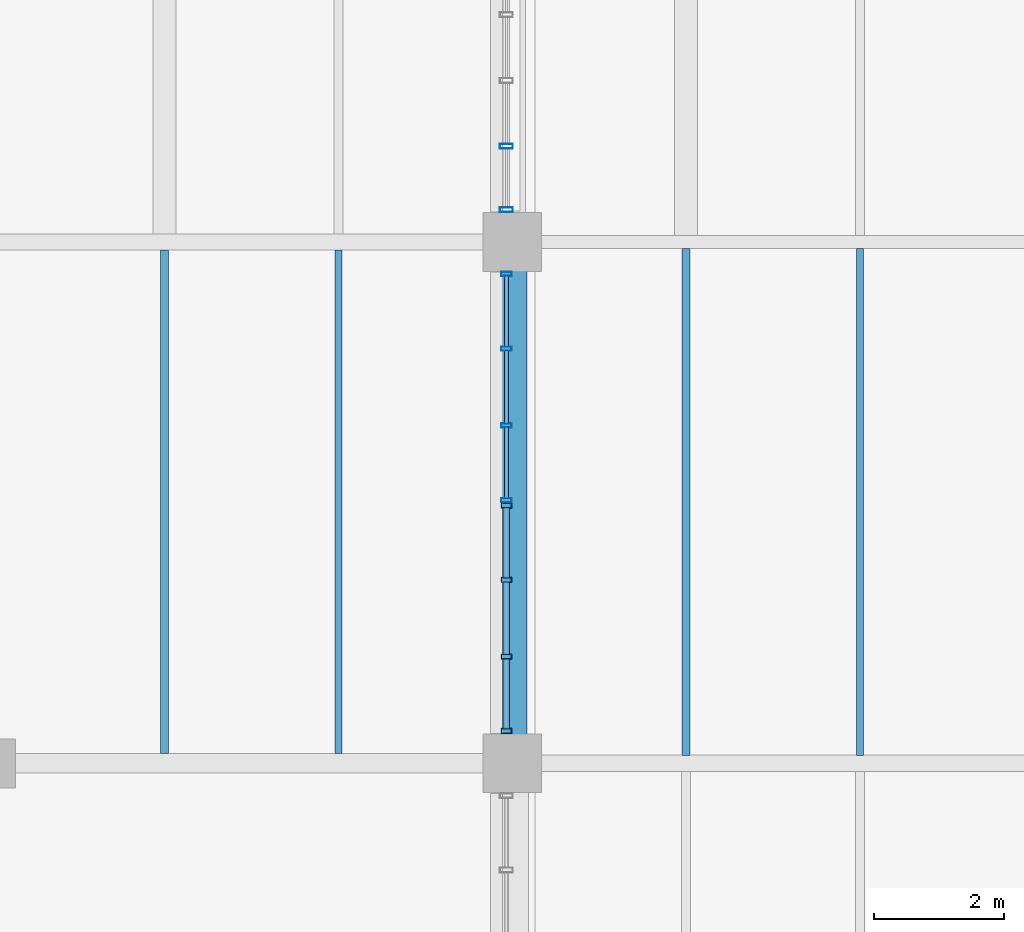
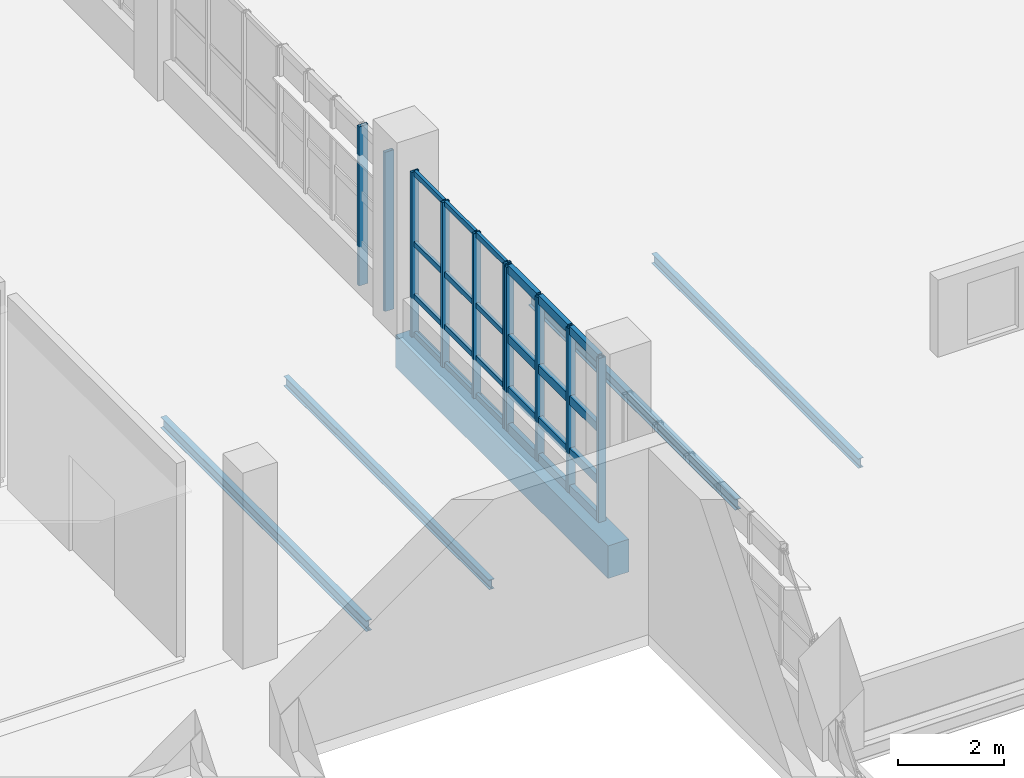
# One storey, part 13 of 85: 34 members, 5 beams, 3 elements without a shape of their own.
"""IFC4 building model written with IfcOpenShell, lengths in metres."""

from ifc_helpers import new_model, si_unit, derived_unit, direction, frame, origin, origin_2d, place, context, subcontext, project, spatial, rectangle, hollow_rectangle, i_section, extrude, material, layer, layer_set, material_profile, profile_set, type_object, element, aggregate, save


model = new_model("IFC4")

# Units and contexts
model_context = context("Model", 3, precision=1e-05, world=origin(), true_north=direction((0.0, 1.0)))
body_context = subcontext(model_context, "Body", "Model", "MODEL_VIEW")
ifc_project = project(units=[si_unit("LENGTHUNIT", "METRE"), si_unit("AREAUNIT", "SQUARE_METRE"), si_unit("VOLUMEUNIT", "CUBIC_METRE"), si_unit("PLANEANGLEUNIT", "RADIAN"), si_unit("MASSUNIT", "GRAM", prefix="KILO"), derived_unit("THERMALTRANSMITTANCEUNIT", [(si_unit("POWERUNIT", "WATT"), 1), (si_unit("LENGTHUNIT", "METRE"), -2), (si_unit("THERMODYNAMICTEMPERATUREUNIT", "KELVIN"), -1)])], contexts=[model_context])

# Site, building, storey
site_placement = place(None, origin())
site = spatial("IfcSite", under=ifc_project, at=site_placement, CompositionType="ELEMENT")
building_placement = place(site_placement, origin())
building = spatial("IfcBuilding", under=site, at=building_placement, Name="Nallur Shell Playhouse", CompositionType="ELEMENT")
storey_placement = place(building_placement, frame((0.0, 0.0, 19.800048828125)))
storey = spatial("IfcBuildingStorey", under=building, at=storey_placement, Name="L05", CompositionType="ELEMENT", Elevation=19.800048828125)

# Beams
ifc_material_1 = material(Name="Steel E250", Category="steel")
ifc_material_profile_1 = material_profile(ifc_material_1, i_section(OverallWidth=0.110107421875, OverallDepth=0.22509765625, WebThickness=0.006591796875, FlangeThickness=0.01171875, FilletRadius=0.011962890625, at=origin_2d()), Name="ISMB 225")
ifc_profile_set_1 = profile_set([ifc_material_profile_1], Name="Steel E250")
beam_type_1 = type_object("IfcBeamType", Name="BM-JST-ISMB225", PredefinedType="JOIST", material=ifc_profile_set_1)
beam_1_placement = place(storey_placement, frame((37.333251953125, 24.14794921875, -0.362548828125), z_axis=(0.0, 1.0, 0.0), x_axis=(-1.0, 0.0, 0.0)))
element("IfcBeam", 1, at=beam_1_placement, inside=storey, type_object=beam_type_1, Name="L05 secondary joist 4-C-1073", PredefinedType="JOIST", context=body_context, shape_type="SweptSolid", body=[
    extrude(i_section(OverallWidth=0.110107421875, OverallDepth=0.22509765625, WebThickness=0.006591796875, FlangeThickness=0.01171875, FilletRadius=0.011962890625, at=origin_2d()), origin(), (0.0, 0.0, 1.0), 7.72900390625),
])
beam_2_placement = place(storey_placement, frame((45.333251953125, 24.123046875, -0.362548828125), z_axis=(0.0, 1.0, 0.0), x_axis=(-1.0, 0.0, 0.0)))
element("IfcBeam", 2, at=beam_2_placement, inside=storey, type_object=beam_type_1, Name="L05 secondary joist 5-C-1085", PredefinedType="JOIST", context=body_context, shape_type="SweptSolid", body=[
    extrude(i_section(OverallWidth=0.110107421875, OverallDepth=0.22509765625, WebThickness=0.006591796875, FlangeThickness=0.01171875, FilletRadius=0.011962890625, at=origin_2d()), origin(), (0.0, 0.0, 1.0), 7.779052734375),
])
ifc_material_profile_2 = material_profile(ifc_material_1, i_section(OverallWidth=0.125, OverallDepth=0.25, WebThickness=0.0068359375, FlangeThickness=0.012451171875, FilletRadius=0.012939453125, at=origin_2d()), Name="ISMB 250")
ifc_profile_set_2 = profile_set([ifc_material_profile_2], Name="Steel E250")
beam_type_2 = type_object("IfcBeamType", Name="BM-JST-ISMB250", PredefinedType="JOIST", material=ifc_profile_set_2)
beam_3_placement = place(storey_placement, frame((34.666748046875, 24.14794921875, -0.375), z_axis=(0.0, 1.0, 0.0), x_axis=(-1.0, 0.0, 0.0)))
element("IfcBeam", 3, at=beam_3_placement, inside=storey, type_object=beam_type_2, Name="L05 secondary joist 4-C-1072", PredefinedType="JOIST", context=body_context, shape_type="SweptSolid", body=[
    extrude(i_section(OverallWidth=0.125, OverallDepth=0.25, WebThickness=0.0068359375, FlangeThickness=0.012451171875, FilletRadius=0.012939453125, at=origin_2d()), origin(), (0.0, 0.0, 1.0), 7.72900390625),
])
beam_4_placement = place(storey_placement, frame((42.666748046875, 24.123046875, -0.375), z_axis=(0.0, 1.0, 0.0), x_axis=(-1.0, 0.0, 0.0)))
element("IfcBeam", 4, at=beam_4_placement, inside=storey, type_object=beam_type_2, Name="L05 secondary joist 5-C-1084", PredefinedType="JOIST", context=body_context, shape_type="SweptSolid", body=[
    extrude(i_section(OverallWidth=0.125, OverallDepth=0.25, WebThickness=0.0068359375, FlangeThickness=0.012451171875, FilletRadius=0.012939453125, at=origin_2d()), origin(), (0.0, 0.0, 1.0), 7.779052734375),
])
ifc_material_2 = material(Name="Concrete M35", Category="concrete")
ifc_material_profile_3 = material_profile(ifc_material_2, rectangle(XDim=0.449951171875, YDim=0.75, at=origin_2d()), Name="RC 450x750")
ifc_profile_set_3 = profile_set([ifc_material_profile_3], Name="Concrete M35")
beam_type_3 = type_object("IfcBeamType", Name="BM-RC-450x750", PredefinedType="BEAM", material=ifc_profile_set_3)
beam_5_placement = place(storey_placement, frame((40.0, 24.0, -0.625), z_axis=(0.0, 1.0, 0.0), x_axis=(-1.0, 0.0, 0.0)))
element("IfcBeam", 5, at=beam_5_placement, inside=storey, type_object=beam_type_3, Name="L05 girder Y-5-1006", PredefinedType="BEAM", context=body_context, shape_type="SweptSolid", body=[
    extrude(rectangle(XDim=0.449951171875, YDim=0.75, at=origin_2d()), origin(), (0.0, 0.0, 1.0), 8.0),
])

# Curtain wall, members
ifc_material_3 = material(Name="Anodised Aluminium Double-Glazed Facade System", Category="aluminium")
ifc_layer_1 = layer(ifc_material_3, 0.176025390625)
ifc_layer_set_1 = layer_set([ifc_layer_1], Name="Anodised Aluminium Double-Glazed Facade System")
curtain_wall_type_1 = type_object("IfcCurtainWallType", Name="CW-UNIT-22", PredefinedType="NOTDEFINED", material=ifc_layer_set_1)
curtain_wall_1_placement = place(storey_placement, origin())
curtain_wall_1 = element("IfcCurtainWall", 6, at=curtain_wall_1_placement, inside=storey, type_object=curtain_wall_type_1, Name="Unitised curtain wall CW-182 (L05)", PredefinedType="NOTDEFINED")
ifc_material_4 = material(Name="Aluminium Alloy 6063-T6 Mullion", Category="aluminium")
ifc_material_profile_4 = material_profile(ifc_material_4, hollow_rectangle(XDim=0.080078125, YDim=0.159912109375, WallThickness=0.006103515625, at=origin_2d()), Name="RHS 160x80x6")
ifc_profile_set_4 = profile_set([ifc_material_profile_4], Name="Aluminium Alloy 6063-T6 Mullion")
member_type_1 = type_object("IfcMemberType", Name="MB-CW-MUL150", PredefinedType="MULLION", material=ifc_profile_set_4)
member_1_placement = place(storey_placement, frame((39.909912109375, 27.955078125, -0.01513671875), z_axis=(0.0, 0.0, 1.0), x_axis=(0.0, -1.0, 0.0)))
member_1 = element("IfcMember", 7, at=member_1_placement, type_object=member_type_1, Name="CW-22 mullion 1", PredefinedType="MULLION", context=body_context, shape_type="SweptSolid", body=[
    extrude(hollow_rectangle(XDim=0.080078125, YDim=0.159912109375, WallThickness=0.006103515625, at=origin_2d()), origin(), (0.0, 0.0, 1.0), 3.76416015625),
])
member_2_placement = place(storey_placement, frame((39.909912109375, 26.81591796875, -0.01513671875), z_axis=(0.0, 0.0, 1.0), x_axis=(0.0, -1.0, 0.0)))
member_2 = element("IfcMember", 8, at=member_2_placement, type_object=member_type_1, Name="CW-22 mullion 2", PredefinedType="MULLION", context=body_context, shape_type="SweptSolid", body=[
    extrude(hollow_rectangle(XDim=0.080078125, YDim=0.159912109375, WallThickness=0.006103515625, at=origin_2d()), origin(), (0.0, 0.0, 1.0), 3.76416015625),
])
member_3_placement = place(storey_placement, frame((39.909912109375, 25.636962890625, -0.01513671875), z_axis=(0.0, 0.0, 1.0), x_axis=(0.0, -1.0, 0.0)))
member_3 = element("IfcMember", 9, at=member_3_placement, type_object=member_type_1, Name="CW-22 mullion 3", PredefinedType="MULLION", context=body_context, shape_type="SweptSolid", body=[
    extrude(hollow_rectangle(XDim=0.080078125, YDim=0.159912109375, WallThickness=0.006103515625, at=origin_2d()), origin(), (0.0, 0.0, 1.0), 3.76416015625),
])
member_4_placement = place(storey_placement, frame((39.909912109375, 24.498046875, -0.01513671875), z_axis=(0.0, 0.0, 1.0), x_axis=(0.0, -1.0, 0.0)))
member_4 = element("IfcMember", 10, at=member_4_placement, type_object=member_type_1, Name="CW-22 mullion 4", PredefinedType="MULLION", context=body_context, shape_type="SweptSolid", body=[
    extrude(hollow_rectangle(XDim=0.080078125, YDim=0.159912109375, WallThickness=0.006103515625, at=origin_2d()), origin(), (0.0, 0.0, 1.0), 3.76416015625),
])

ifc_layer_2 = layer(ifc_material_3, 0.172119140625)
ifc_layer_set_2 = layer_set([ifc_layer_2], Name="Anodised Aluminium Double-Glazed Facade System")
curtain_wall_type_2 = type_object("IfcCurtainWallType", Name="CW-UNIT-21", PredefinedType="NOTDEFINED", material=ifc_layer_set_2)
curtain_wall_2_placement = place(storey_placement, origin())
curtain_wall_2 = element("IfcCurtainWall", 11, at=curtain_wall_2_placement, inside=storey, type_object=curtain_wall_type_2, Name="Unitised curtain wall CW-181 (L05)", PredefinedType="NOTDEFINED")
ifc_material_profile_5 = material_profile(ifc_material_4, hollow_rectangle(XDim=0.06494140625, YDim=0.159912109375, WallThickness=0.00390625, at=origin_2d()), Name="ALU 65x160x4")
ifc_profile_set_5 = profile_set([ifc_material_profile_5], Name="Aluminium Alloy 6063-T6 Mullion")
member_type_2 = type_object("IfcMemberType", Name="MB-CW-MUL160", PredefinedType="MULLION", material=ifc_profile_set_5)
member_5_placement = place(storey_placement, frame((39.909912109375, 31.509521484375, -0.01513671875), z_axis=(0.0, 0.0, 1.0), x_axis=(0.0, -1.0, 0.0)))
member_5 = element("IfcMember", 12, at=member_5_placement, type_object=member_type_2, Name="CW-21 mullion 1", PredefinedType="MULLION", context=body_context, shape_type="SweptSolid", body=[
    extrude(hollow_rectangle(XDim=0.06494140625, YDim=0.159912109375, WallThickness=0.00390625, at=origin_2d()), origin(), (0.0, 0.0, 1.0), 3.7841796875),
])
member_6_placement = place(storey_placement, frame((39.909912109375, 30.363037109375, -0.01513671875), z_axis=(0.0, 0.0, 1.0), x_axis=(0.0, -1.0, 0.0)))
member_6 = element("IfcMember", 13, at=member_6_placement, type_object=member_type_2, Name="CW-21 mullion 2", PredefinedType="MULLION", context=body_context, shape_type="SweptSolid", body=[
    extrude(hollow_rectangle(XDim=0.06494140625, YDim=0.159912109375, WallThickness=0.00390625, at=origin_2d()), origin(), (0.0, 0.0, 1.0), 3.7841796875),
])
member_7_placement = place(storey_placement, frame((39.909912109375, 29.18408203125, -0.01513671875), z_axis=(0.0, 0.0, 1.0), x_axis=(0.0, -1.0, 0.0)))
member_7 = element("IfcMember", 14, at=member_7_placement, type_object=member_type_2, Name="CW-21 mullion 3", PredefinedType="MULLION", context=body_context, shape_type="SweptSolid", body=[
    extrude(hollow_rectangle(XDim=0.06494140625, YDim=0.159912109375, WallThickness=0.00390625, at=origin_2d()), origin(), (0.0, 0.0, 1.0), 3.7841796875),
])
member_8_placement = place(storey_placement, frame((39.909912109375, 28.03759765625, -0.01513671875), z_axis=(0.0, 0.0, 1.0), x_axis=(0.0, -1.0, 0.0)))
member_8 = element("IfcMember", 15, at=member_8_placement, type_object=member_type_2, Name="CW-21 mullion 4", PredefinedType="MULLION", context=body_context, shape_type="SweptSolid", body=[
    extrude(hollow_rectangle(XDim=0.06494140625, YDim=0.159912109375, WallThickness=0.00390625, at=origin_2d()), origin(), (0.0, 0.0, 1.0), 3.7841796875),
])

ifc_layer_3 = layer(ifc_material_3, 0.16796875)
ifc_layer_set_3 = layer_set([ifc_layer_3], Name="Anodised Aluminium Double-Glazed Facade System")
curtain_wall_type_3 = type_object("IfcCurtainWallType", Name="CW-UNIT-20", PredefinedType="NOTDEFINED", material=ifc_layer_set_3)
curtain_wall_3_placement = place(storey_placement, origin())
curtain_wall_3 = element("IfcCurtainWall", 16, at=curtain_wall_3_placement, inside=storey, type_object=curtain_wall_type_3, Name="Unitised curtain wall CW-180 (L05)", PredefinedType="NOTDEFINED")
ifc_material_profile_6 = material_profile(ifc_material_4, hollow_rectangle(XDim=0.074951171875, YDim=0.199951171875, WallThickness=0.0048828125, at=origin_2d()), Name="ALU 75x200x5")
ifc_profile_set_6 = profile_set([ifc_material_profile_6], Name="Aluminium Alloy 6063-T6 Mullion")
member_type_3 = type_object("IfcMemberType", Name="MB-CW-MUL180", PredefinedType="MULLION", material=ifc_profile_set_6)
member_9_placement = place(storey_placement, frame((39.909912109375, 33.46728515625, -0.01513671875), z_axis=(0.0, 0.0, 1.0), x_axis=(0.0, -1.0, 0.0)))
member_9 = element("IfcMember", 17, at=member_9_placement, type_object=member_type_3, Name="CW-20 mullion 4", PredefinedType="MULLION", context=body_context, shape_type="SweptSolid", body=[
    extrude(hollow_rectangle(XDim=0.074951171875, YDim=0.199951171875, WallThickness=0.0048828125, at=origin_2d()), origin(), (0.0, 0.0, 1.0), 3.654052734375),
])
member_10_placement = place(storey_placement, frame((39.909912109375, 32.49560546875, -0.01513671875), z_axis=(0.0, 0.0, 1.0), x_axis=(0.0, -1.0, 0.0)))
member_10 = element("IfcMember", 18, at=member_10_placement, type_object=member_type_3, Name="CW-20 mullion 5", PredefinedType="MULLION", context=body_context, shape_type="SweptSolid", body=[
    extrude(hollow_rectangle(XDim=0.074951171875, YDim=0.199951171875, WallThickness=0.0048828125, at=origin_2d()), origin(), (0.0, 0.0, 1.0), 3.654052734375),
])
aggregate(curtain_wall_3, [member_9, member_10])

# Member
ifc_material_5 = material(Name="Aluminium Alloy 6063-T6 Transom", Category="aluminium")
ifc_material_profile_7 = material_profile(ifc_material_5, hollow_rectangle(XDim=0.06494140625, YDim=0.1201171875, WallThickness=0.00390625, at=origin_2d()), Name="ALU 65x120x4")
ifc_profile_set_7 = profile_set([ifc_material_profile_7], Name="Aluminium Alloy 6063-T6 Transom")
member_type_4 = type_object("IfcMemberType", Name="MB-CW-TRN120", PredefinedType="USERDEFINED", material=ifc_profile_set_7)
member_11_placement = place(storey_placement, frame((39.909912109375, 31.485107421875, 0.032470703125), z_axis=(0.0, -1.0, 0.0), x_axis=(1.0, 0.0, 0.0)))
member_11 = element("IfcMember", 19, at=member_11_placement, type_object=member_type_4, Name="CW-21 transom 1.1", ObjectType="TRANSOM", PredefinedType="USERDEFINED", context=body_context, shape_type="SweptSolid", body=[
    extrude(hollow_rectangle(XDim=0.06494140625, YDim=0.1201171875, WallThickness=0.00390625, at=origin_2d()), origin(), (0.0, 0.0, 1.0), 1.09765625),
])

member_12_placement = place(storey_placement, frame((39.909912109375, 31.485107421875, 0.89990234375), z_axis=(0.0, -1.0, 0.0), x_axis=(1.0, 0.0, 0.0)))
member_12 = element("IfcMember", 20, at=member_12_placement, type_object=member_type_4, Name="CW-21 transom 1.2", ObjectType="TRANSOM", PredefinedType="USERDEFINED", context=body_context, shape_type="SweptSolid", body=[
    extrude(hollow_rectangle(XDim=0.06494140625, YDim=0.1201171875, WallThickness=0.00390625, at=origin_2d()), origin(), (0.0, 0.0, 1.0), 1.09765625),
])

member_13_placement = place(storey_placement, frame((39.909912109375, 31.485107421875, 2.10791015625), z_axis=(0.0, -1.0, 0.0), x_axis=(1.0, 0.0, 0.0)))
member_13 = element("IfcMember", 21, at=member_13_placement, type_object=member_type_4, Name="CW-21 transom 1.3", ObjectType="TRANSOM", PredefinedType="USERDEFINED", context=body_context, shape_type="SweptSolid", body=[
    extrude(hollow_rectangle(XDim=0.06494140625, YDim=0.1201171875, WallThickness=0.00390625, at=origin_2d()), origin(), (0.0, 0.0, 1.0), 1.09765625),
])

member_14_placement = place(storey_placement, frame((39.909912109375, 31.485107421875, 3.732421875), z_axis=(0.0, -1.0, 0.0), x_axis=(1.0, 0.0, 0.0)))
member_14 = element("IfcMember", 22, at=member_14_placement, type_object=member_type_4, Name="CW-21 transom 1.4", ObjectType="TRANSOM", PredefinedType="USERDEFINED", context=body_context, shape_type="SweptSolid", body=[
    extrude(hollow_rectangle(XDim=0.06494140625, YDim=0.1201171875, WallThickness=0.00390625, at=origin_2d()), origin(), (0.0, 0.0, 1.0), 1.09765625),
])

member_15_placement = place(storey_placement, frame((39.909912109375, 30.33837890625, 0.032470703125), z_axis=(0.0, -1.0, 0.0), x_axis=(1.0, 0.0, 0.0)))
member_15 = element("IfcMember", 23, at=member_15_placement, type_object=member_type_4, Name="CW-21 transom 2.1", ObjectType="TRANSOM", PredefinedType="USERDEFINED", context=body_context, shape_type="SweptSolid", body=[
    extrude(hollow_rectangle(XDim=0.06494140625, YDim=0.1201171875, WallThickness=0.00390625, at=origin_2d()), origin(), (0.0, 0.0, 1.0), 1.1298828125),
])

member_16_placement = place(storey_placement, frame((39.909912109375, 30.33837890625, 0.89990234375), z_axis=(0.0, -1.0, 0.0), x_axis=(1.0, 0.0, 0.0)))
member_16 = element("IfcMember", 24, at=member_16_placement, type_object=member_type_4, Name="CW-21 transom 2.2", ObjectType="TRANSOM", PredefinedType="USERDEFINED", context=body_context, shape_type="SweptSolid", body=[
    extrude(hollow_rectangle(XDim=0.06494140625, YDim=0.1201171875, WallThickness=0.00390625, at=origin_2d()), origin(), (0.0, 0.0, 1.0), 1.1298828125),
])

member_17_placement = place(storey_placement, frame((39.909912109375, 30.33837890625, 2.10791015625), z_axis=(0.0, -1.0, 0.0), x_axis=(1.0, 0.0, 0.0)))
member_17 = element("IfcMember", 25, at=member_17_placement, type_object=member_type_4, Name="CW-21 transom 2.3", ObjectType="TRANSOM", PredefinedType="USERDEFINED", context=body_context, shape_type="SweptSolid", body=[
    extrude(hollow_rectangle(XDim=0.06494140625, YDim=0.1201171875, WallThickness=0.00390625, at=origin_2d()), origin(), (0.0, 0.0, 1.0), 1.1298828125),
])

member_18_placement = place(storey_placement, frame((39.909912109375, 30.33837890625, 3.732421875), z_axis=(0.0, -1.0, 0.0), x_axis=(1.0, 0.0, 0.0)))
member_18 = element("IfcMember", 26, at=member_18_placement, type_object=member_type_4, Name="CW-21 transom 2.4", ObjectType="TRANSOM", PredefinedType="USERDEFINED", context=body_context, shape_type="SweptSolid", body=[
    extrude(hollow_rectangle(XDim=0.06494140625, YDim=0.1201171875, WallThickness=0.00390625, at=origin_2d()), origin(), (0.0, 0.0, 1.0), 1.1298828125),
])

member_19_placement = place(storey_placement, frame((39.909912109375, 29.159423828125, 0.032470703125), z_axis=(0.0, -1.0, 0.0), x_axis=(1.0, 0.0, 0.0)))
member_19 = element("IfcMember", 27, at=member_19_placement, type_object=member_type_4, Name="CW-21 transom 3.1", ObjectType="TRANSOM", PredefinedType="USERDEFINED", context=body_context, shape_type="SweptSolid", body=[
    extrude(hollow_rectangle(XDim=0.06494140625, YDim=0.1201171875, WallThickness=0.00390625, at=origin_2d()), origin(), (0.0, 0.0, 1.0), 1.097412109375),
])

member_20_placement = place(storey_placement, frame((39.909912109375, 29.159423828125, 0.89990234375), z_axis=(0.0, -1.0, 0.0), x_axis=(1.0, 0.0, 0.0)))
member_20 = element("IfcMember", 28, at=member_20_placement, type_object=member_type_4, Name="CW-21 transom 3.2", ObjectType="TRANSOM", PredefinedType="USERDEFINED", context=body_context, shape_type="SweptSolid", body=[
    extrude(hollow_rectangle(XDim=0.06494140625, YDim=0.1201171875, WallThickness=0.00390625, at=origin_2d()), origin(), (0.0, 0.0, 1.0), 1.097412109375),
])

member_21_placement = place(storey_placement, frame((39.909912109375, 29.159423828125, 2.10791015625), z_axis=(0.0, -1.0, 0.0), x_axis=(1.0, 0.0, 0.0)))
member_21 = element("IfcMember", 29, at=member_21_placement, type_object=member_type_4, Name="CW-21 transom 3.3", ObjectType="TRANSOM", PredefinedType="USERDEFINED", context=body_context, shape_type="SweptSolid", body=[
    extrude(hollow_rectangle(XDim=0.06494140625, YDim=0.1201171875, WallThickness=0.00390625, at=origin_2d()), origin(), (0.0, 0.0, 1.0), 1.097412109375),
])

member_22_placement = place(storey_placement, frame((39.909912109375, 29.159423828125, 3.732421875), z_axis=(0.0, -1.0, 0.0), x_axis=(1.0, 0.0, 0.0)))
member_22 = element("IfcMember", 30, at=member_22_placement, type_object=member_type_4, Name="CW-21 transom 3.4", ObjectType="TRANSOM", PredefinedType="USERDEFINED", context=body_context, shape_type="SweptSolid", body=[
    extrude(hollow_rectangle(XDim=0.06494140625, YDim=0.1201171875, WallThickness=0.00390625, at=origin_2d()), origin(), (0.0, 0.0, 1.0), 1.097412109375),
])

aggregate(curtain_wall_2, [member_5, member_6, member_7, member_8, member_11, member_12, member_13, member_14, member_15, member_16, member_17, member_18, member_19, member_20, member_21, member_22])

ifc_material_profile_8 = material_profile(ifc_material_5, hollow_rectangle(XDim=0.10009765625, YDim=0.199951171875, WallThickness=0.008056640625, at=origin_2d()), Name="RHS 200x100x8")
ifc_profile_set_8 = profile_set([ifc_material_profile_8], Name="Aluminium Alloy 6063-T6 Transom")
member_type_5 = type_object("IfcMemberType", Name="MB-CW-TRN140", PredefinedType="USERDEFINED", material=ifc_profile_set_8)
member_23_placement = place(storey_placement, frame((39.909912109375, 27.923095703125, 0.050048828125), z_axis=(0.0, -1.0, 0.0), x_axis=(1.0, 0.0, 0.0)))
member_23 = element("IfcMember", 31, at=member_23_placement, type_object=member_type_5, Name="CW-22 transom 1.1", ObjectType="TRANSOM", PredefinedType="USERDEFINED", context=body_context, shape_type="SweptSolid", body=[
    extrude(hollow_rectangle(XDim=0.10009765625, YDim=0.199951171875, WallThickness=0.008056640625, at=origin_2d()), origin(), (0.0, 0.0, 1.0), 1.0751953125),
])

member_24_placement = place(storey_placement, frame((39.909912109375, 27.923095703125, 0.89990234375), z_axis=(0.0, -1.0, 0.0), x_axis=(1.0, 0.0, 0.0)))
member_24 = element("IfcMember", 32, at=member_24_placement, type_object=member_type_5, Name="CW-22 transom 1.2", ObjectType="TRANSOM", PredefinedType="USERDEFINED", context=body_context, shape_type="SweptSolid", body=[
    extrude(hollow_rectangle(XDim=0.10009765625, YDim=0.199951171875, WallThickness=0.008056640625, at=origin_2d()), origin(), (0.0, 0.0, 1.0), 1.0751953125),
])

member_25_placement = place(storey_placement, frame((39.909912109375, 27.923095703125, 2.096923828125), z_axis=(0.0, -1.0, 0.0), x_axis=(1.0, 0.0, 0.0)))
member_25 = element("IfcMember", 33, at=member_25_placement, type_object=member_type_5, Name="CW-22 transom 1.3", ObjectType="TRANSOM", PredefinedType="USERDEFINED", context=body_context, shape_type="SweptSolid", body=[
    extrude(hollow_rectangle(XDim=0.10009765625, YDim=0.199951171875, WallThickness=0.008056640625, at=origin_2d()), origin(), (0.0, 0.0, 1.0), 1.0751953125),
])

member_26_placement = place(storey_placement, frame((39.909912109375, 27.923095703125, 3.695068359375), z_axis=(0.0, -1.0, 0.0), x_axis=(1.0, 0.0, 0.0)))
member_26 = element("IfcMember", 34, at=member_26_placement, type_object=member_type_5, Name="CW-22 transom 1.4", ObjectType="TRANSOM", PredefinedType="USERDEFINED", context=body_context, shape_type="SweptSolid", body=[
    extrude(hollow_rectangle(XDim=0.10009765625, YDim=0.199951171875, WallThickness=0.008056640625, at=origin_2d()), origin(), (0.0, 0.0, 1.0), 1.0751953125),
])

member_27_placement = place(storey_placement, frame((39.909912109375, 26.783935546875, 0.050048828125), z_axis=(0.0, -1.0, 0.0), x_axis=(1.0, 0.0, 0.0)))
member_27 = element("IfcMember", 35, at=member_27_placement, type_object=member_type_5, Name="CW-22 transom 2.1", ObjectType="TRANSOM", PredefinedType="USERDEFINED", context=body_context, shape_type="SweptSolid", body=[
    extrude(hollow_rectangle(XDim=0.10009765625, YDim=0.199951171875, WallThickness=0.008056640625, at=origin_2d()), origin(), (0.0, 0.0, 1.0), 1.114990234375),
])

member_28_placement = place(storey_placement, frame((39.909912109375, 26.783935546875, 0.89990234375), z_axis=(0.0, -1.0, 0.0), x_axis=(1.0, 0.0, 0.0)))
member_28 = element("IfcMember", 36, at=member_28_placement, type_object=member_type_5, Name="CW-22 transom 2.2", ObjectType="TRANSOM", PredefinedType="USERDEFINED", context=body_context, shape_type="SweptSolid", body=[
    extrude(hollow_rectangle(XDim=0.10009765625, YDim=0.199951171875, WallThickness=0.008056640625, at=origin_2d()), origin(), (0.0, 0.0, 1.0), 1.114990234375),
])

member_29_placement = place(storey_placement, frame((39.909912109375, 26.783935546875, 2.096923828125), z_axis=(0.0, -1.0, 0.0), x_axis=(1.0, 0.0, 0.0)))
member_29 = element("IfcMember", 37, at=member_29_placement, type_object=member_type_5, Name="CW-22 transom 2.3", ObjectType="TRANSOM", PredefinedType="USERDEFINED", context=body_context, shape_type="SweptSolid", body=[
    extrude(hollow_rectangle(XDim=0.10009765625, YDim=0.199951171875, WallThickness=0.008056640625, at=origin_2d()), origin(), (0.0, 0.0, 1.0), 1.114990234375),
])

member_30_placement = place(storey_placement, frame((39.909912109375, 26.783935546875, 3.695068359375), z_axis=(0.0, -1.0, 0.0), x_axis=(1.0, 0.0, 0.0)))
member_30 = element("IfcMember", 38, at=member_30_placement, type_object=member_type_5, Name="CW-22 transom 2.4", ObjectType="TRANSOM", PredefinedType="USERDEFINED", context=body_context, shape_type="SweptSolid", body=[
    extrude(hollow_rectangle(XDim=0.10009765625, YDim=0.199951171875, WallThickness=0.008056640625, at=origin_2d()), origin(), (0.0, 0.0, 1.0), 1.114990234375),
])

member_31_placement = place(storey_placement, frame((39.909912109375, 25.60498046875, 0.050048828125), z_axis=(0.0, -1.0, 0.0), x_axis=(1.0, 0.0, 0.0)))
member_31 = element("IfcMember", 39, at=member_31_placement, type_object=member_type_5, Name="CW-22 transom 3.1", ObjectType="TRANSOM", PredefinedType="USERDEFINED", context=body_context, shape_type="SweptSolid", body=[
    extrude(hollow_rectangle(XDim=0.10009765625, YDim=0.199951171875, WallThickness=0.008056640625, at=origin_2d()), origin(), (0.0, 0.0, 1.0), 1.074951171875),
])

member_32_placement = place(storey_placement, frame((39.909912109375, 25.60498046875, 0.89990234375), z_axis=(0.0, -1.0, 0.0), x_axis=(1.0, 0.0, 0.0)))
member_32 = element("IfcMember", 40, at=member_32_placement, type_object=member_type_5, Name="CW-22 transom 3.2", ObjectType="TRANSOM", PredefinedType="USERDEFINED", context=body_context, shape_type="SweptSolid", body=[
    extrude(hollow_rectangle(XDim=0.10009765625, YDim=0.199951171875, WallThickness=0.008056640625, at=origin_2d()), origin(), (0.0, 0.0, 1.0), 1.074951171875),
])

member_33_placement = place(storey_placement, frame((39.909912109375, 25.60498046875, 2.096923828125), z_axis=(0.0, -1.0, 0.0), x_axis=(1.0, 0.0, 0.0)))
member_33 = element("IfcMember", 41, at=member_33_placement, type_object=member_type_5, Name="CW-22 transom 3.3", ObjectType="TRANSOM", PredefinedType="USERDEFINED", context=body_context, shape_type="SweptSolid", body=[
    extrude(hollow_rectangle(XDim=0.10009765625, YDim=0.199951171875, WallThickness=0.008056640625, at=origin_2d()), origin(), (0.0, 0.0, 1.0), 1.074951171875),
])

member_34_placement = place(storey_placement, frame((39.909912109375, 25.60498046875, 3.695068359375), z_axis=(0.0, -1.0, 0.0), x_axis=(1.0, 0.0, 0.0)))
member_34 = element("IfcMember", 42, at=member_34_placement, type_object=member_type_5, Name="CW-22 transom 3.4", ObjectType="TRANSOM", PredefinedType="USERDEFINED", context=body_context, shape_type="SweptSolid", body=[
    extrude(hollow_rectangle(XDim=0.10009765625, YDim=0.199951171875, WallThickness=0.008056640625, at=origin_2d()), origin(), (0.0, 0.0, 1.0), 1.074951171875),
])

aggregate(curtain_wall_1, [member_1, member_2, member_3, member_4, member_23, member_24, member_25, member_26, member_27, member_28, member_29, member_30, member_31, member_32, member_33, member_34])

save(model, "model.ifc")
